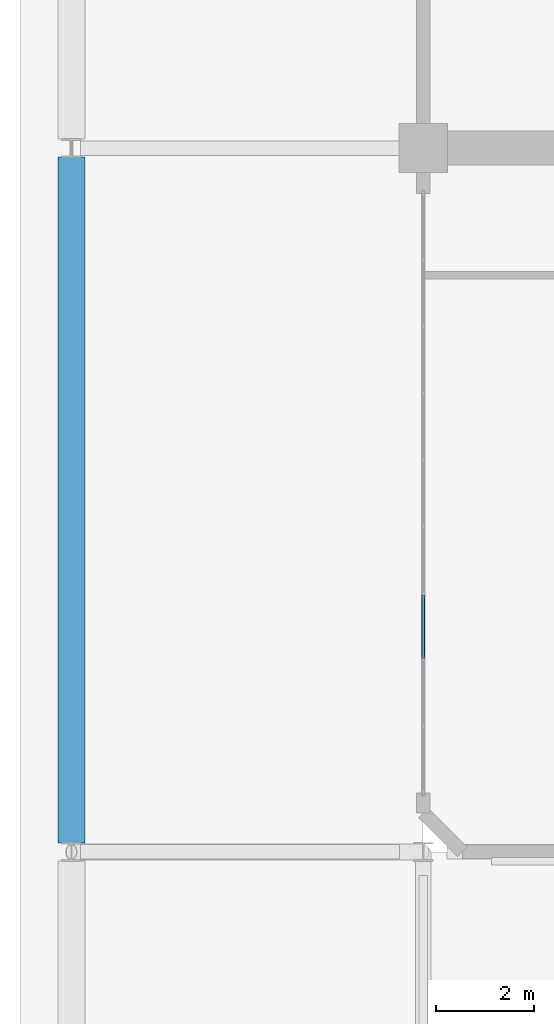
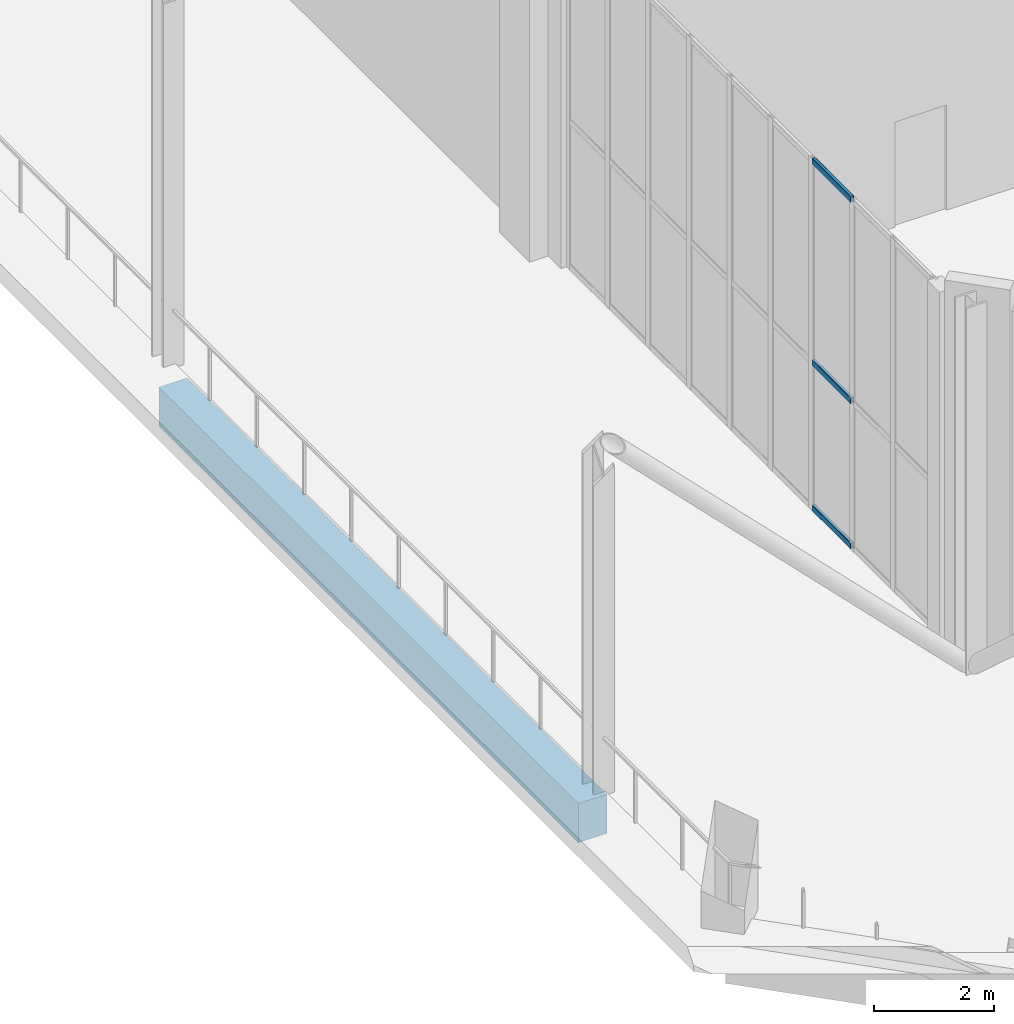
# One storey, part 6 of 23: 3 members, 1 beam, 1 element without a shape of its own.
"""IFC4 building model written with IfcOpenShell, lengths in metres."""

from ifc_helpers import new_model, si_unit, direction, frame, origin, origin_2d, place, context, subcontext, project, spatial, rectangle, hollow_rectangle, extrude, material, layer, layer_set, material_profile, profile_set, type_object, element, aggregate, save


model = new_model("IFC4")

# Units and contexts
model_context = context("Model", 3, precision=1e-05, world=origin(), true_north=direction((0.0, 1.0)))
body_context = subcontext(model_context, "Body", "Model", "MODEL_VIEW")
ifc_project = project(units=[si_unit("LENGTHUNIT", "METRE"), si_unit("AREAUNIT", "SQUARE_METRE"), si_unit("VOLUMEUNIT", "CUBIC_METRE"), si_unit("PLANEANGLEUNIT", "RADIAN"), si_unit("MASSUNIT", "GRAM", prefix="KILO")], contexts=[model_context])

# Site, building, storey
site_placement = place(None, origin())
site = spatial("IfcSite", under=ifc_project, at=site_placement, CompositionType="ELEMENT")
building_placement = place(site_placement, origin())
building = spatial("IfcBuilding", under=site, at=building_placement, Name="Kaelvorn Grand Hotel", CompositionType="ELEMENT")
storey_placement = place(building_placement, frame((0.0, 0.0, 310.699951171875)))
storey = spatial("IfcBuildingStorey", under=building, at=storey_placement, Name="L75", CompositionType="ELEMENT", Elevation=310.699951171875)

# Beam
ifc_material_1 = material(Name="Concrete C50/60", Category="concrete")
ifc_material_profile_1 = material_profile(ifc_material_1, rectangle(XDim=0.550048828125, YDim=0.800048828125, at=origin_2d()), Name="RC SPANDREL 550x800")
ifc_profile_set_1 = profile_set([ifc_material_profile_1], Name="Concrete C50/60")
beam_type = type_object("IfcBeamType", Name="BM-SP-550x800-C50", PredefinedType="SPANDREL", material=ifc_profile_set_1)
beam_placement = place(storey_placement, frame((9.0, 15.18505859375, -0.699951171875), z_axis=(0.0, 1.0, 0.0), x_axis=(-1.0, 0.0, 0.0)))
element("IfcBeam", 1, at=beam_placement, inside=storey, type_object=beam_type, Name="L75 West Perimeter Spandrel 02", PredefinedType="SPANDREL", context=body_context, shape_type="SweptSolid", body=[
    extrude(rectangle(XDim=0.550048828125, YDim=0.800048828125, at=origin_2d()), origin(), (0.0, 0.0, 1.0), 14.030029296875),
])

# Curtain wall, members
ifc_material_2 = material(Name="Anodised Aluminium", Category="aluminium")
ifc_layer = layer(ifc_material_2, 0.159912109375)
ifc_layer_set = layer_set([ifc_layer], Name="Anodised Aluminium")
curtain_wall_type = type_object("IfcCurtainWallType", Name="CW-SYS6", PredefinedType="NOTDEFINED", material=ifc_layer_set)
curtain_wall_placement = place(storey_placement, origin())
curtain_wall = element("IfcCurtainWall", 2, at=curtain_wall_placement, inside=storey, type_object=curtain_wall_type, Name="L75 Unitised Curtain Wall CW6 (CW-L75-W-01)", PredefinedType="NOTDEFINED")
ifc_material_profile_2 = material_profile(ifc_material_2, hollow_rectangle(XDim=0.06494140625, YDim=0.1201171875, WallThickness=0.00341796875, InnerFilletRadius=0.00341796875, OuterFilletRadius=0.007080078125, at=origin_2d()), Name="ALU TRAN 65x120")
ifc_profile_set_2 = profile_set([ifc_material_profile_2], Name="Anodised Aluminium")
member_type = type_object("IfcMemberType", Name="CW-SYS6-TRAN", PredefinedType="NOTDEFINED", material=ifc_profile_set_2)
member_1_placement = place(storey_placement, frame((16.199951171875, 20.2607421875, 0.06005859375), z_axis=(0.0, -1.0, 0.0), x_axis=(1.0, 0.0, 0.0)))
member_1 = element("IfcMember", 3, at=member_1_placement, type_object=member_type, Name="CW6 transom 7.1", ObjectType="TRANSOM", PredefinedType="USERDEFINED", context=body_context, shape_type="SweptSolid", body=[
    extrude(hollow_rectangle(XDim=0.06494140625, YDim=0.1201171875, WallThickness=0.00341796875, InnerFilletRadius=0.00341796875, OuterFilletRadius=0.007080078125, at=origin_2d()), origin(), (0.0, 0.0, 1.0), 1.29931640625),
])
member_2_placement = place(storey_placement, frame((16.199951171875, 20.2607421875, 3.024169921875), z_axis=(0.0, -1.0, 0.0), x_axis=(1.0, 0.0, 0.0)))
member_2 = element("IfcMember", 4, at=member_2_placement, type_object=member_type, Name="CW6 transom 7.2", ObjectType="TRANSOM", PredefinedType="USERDEFINED", context=body_context, shape_type="SweptSolid", body=[
    extrude(hollow_rectangle(XDim=0.06494140625, YDim=0.1201171875, WallThickness=0.00341796875, InnerFilletRadius=0.00341796875, OuterFilletRadius=0.007080078125, at=origin_2d()), origin(), (0.0, 0.0, 1.0), 1.29931640625),
])
member_3_placement = place(storey_placement, frame((16.199951171875, 20.2607421875, 7.14013671875), z_axis=(0.0, -1.0, 0.0), x_axis=(1.0, 0.0, 0.0)))
member_3 = element("IfcMember", 5, at=member_3_placement, type_object=member_type, Name="CW6 transom 7.3", ObjectType="TRANSOM", PredefinedType="USERDEFINED", context=body_context, shape_type="SweptSolid", body=[
    extrude(hollow_rectangle(XDim=0.06494140625, YDim=0.1201171875, WallThickness=0.00341796875, InnerFilletRadius=0.00341796875, OuterFilletRadius=0.007080078125, at=origin_2d()), origin(), (0.0, 0.0, 1.0), 1.29931640625),
])
aggregate(curtain_wall, [member_1, member_2, member_3])

save(model, "model.ifc")
